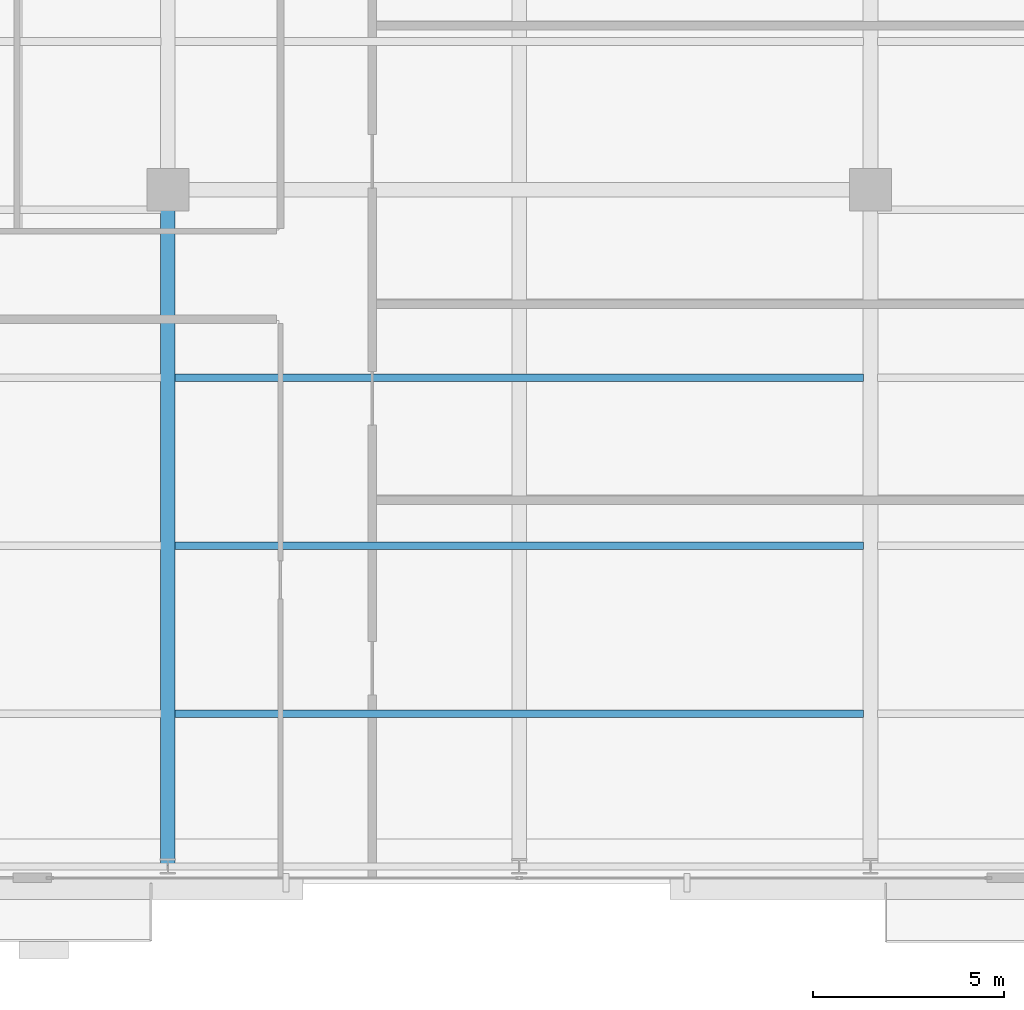
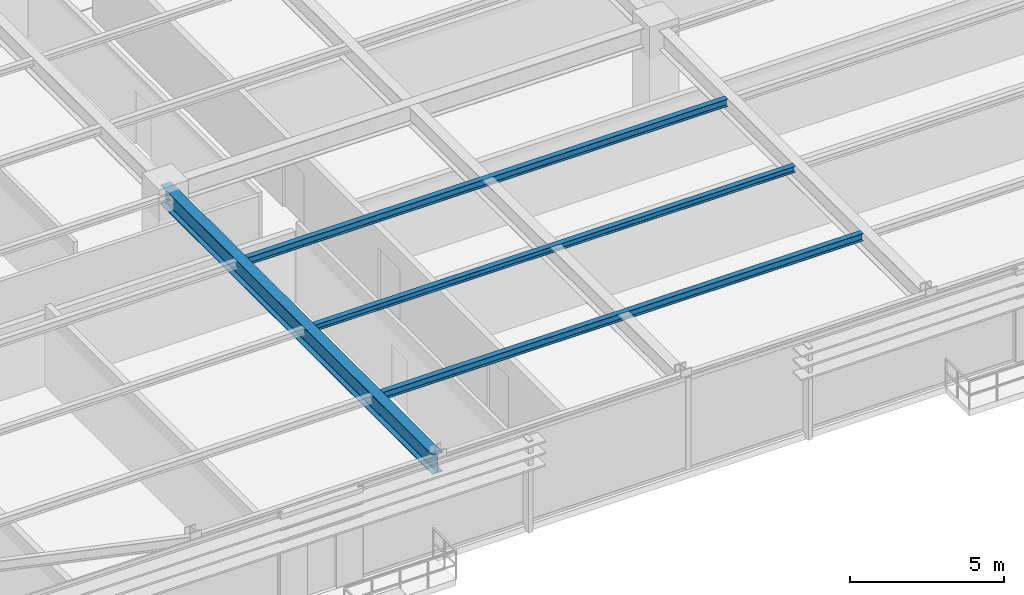
# One storey, part 7 of 29: 4 beams.
"""IFC4 building model written with IfcOpenShell, lengths in metres."""

from ifc_helpers import new_model, si_unit, direction, frame, origin, origin_2d, place, context, subcontext, project, spatial, i_section, extrude, source, transform, mapped, material, material_profile, profile_set, type_object, type_shapes, element, save


model = new_model("IFC4")

# Units and contexts
model_context = context("Model", 3, precision=1e-05, world=origin(), true_north=direction((0.0, 1.0)))
body_context = subcontext(model_context, "Body", "Model", "MODEL_VIEW")
ifc_project = project(units=[si_unit("LENGTHUNIT", "METRE"), si_unit("AREAUNIT", "SQUARE_METRE"), si_unit("VOLUMEUNIT", "CUBIC_METRE"), si_unit("PLANEANGLEUNIT", "RADIAN"), si_unit("MASSUNIT", "GRAM", prefix="KILO")], contexts=[model_context])

# Site, building, storey
site_placement = place(None, origin())
site = spatial("IfcSite", under=ifc_project, at=site_placement, CompositionType="ELEMENT")
building_placement = place(site_placement, origin())
building = spatial("IfcBuilding", under=site, at=building_placement, Name="Varnel Quay Broadcast Tower", CompositionType="ELEMENT")
storey_placement = place(building_placement, frame((0.0, 0.0, 74.39990234375)))
storey = spatial("IfcBuildingStorey", under=building, at=storey_placement, Name="L17", CompositionType="ELEMENT", Elevation=74.39990234375)

# Beams
ifc_material = material(Name="Structural Steel CSA G40.21 350W", Category="steel")
ifc_material_profile_1 = material_profile(ifc_material, i_section(OverallWidth=0.381103515625, OverallDepth=0.77294921875, WebThickness=0.0166015625, FlangeThickness=0.027587890625, FilletRadius=0.01806640625, at=origin_2d()), Name="W760X257")
ifc_profile_set_1 = profile_set([ifc_material_profile_1], Name="Structural Steel CSA G40.21 350W")
beam_type_1 = type_object("IfcBeamType", Name="Girder_W760X257", PredefinedType="BEAM", material=ifc_profile_set_1)
shared_shape_1 = source(origin(), body_context, "Body", "SweptSolid", [
    extrude(i_section(OverallWidth=0.381103515625, OverallDepth=0.77294921875, WebThickness=0.0166015625, FlangeThickness=0.027587890625, FilletRadius=0.01806640625, at=origin_2d()), origin(), (0.0, 0.0, 1.0), 17.68017578125),
])
type_shapes(beam_type_1, [shared_shape_1])
beam_1_placement = place(storey_placement, frame((24.800048828125, 1.669921875, 3.263671875), z_axis=(0.0, 1.0, 0.0), x_axis=(-1.0, 0.0, 0.0)))
element("IfcBeam", 1, at=beam_1_placement, inside=storey, type_object=beam_type_1, Name="L17 Primary Girder TC-S2-IC-01", PredefinedType="BEAM", context=body_context, shape_type="MappedRepresentation", body=[
    mapped(shared_shape_1, transform((0.0, 0.0, 0.0), x_axis=(1.0, 0.0, 0.0), y_axis=(0.0, 1.0, 0.0), z_axis=(0.0, 0.0, 1.0), scale=1.0)),
])
ifc_material_profile_2 = material_profile(ifc_material, i_section(OverallWidth=0.202880859375, OverallDepth=0.302978515625, WebThickness=0.007568359375, FlangeThickness=0.01318359375, FilletRadius=0.011962890625, at=origin_2d()), Name="W310X60")
ifc_profile_set_2 = profile_set([ifc_material_profile_2], Name="Structural Steel CSA G40.21 350W")
beam_type_2 = type_object("IfcBeamType", Name="Beam_W310X60", PredefinedType="JOIST", material=ifc_profile_set_2)
shared_shape_2 = source(origin(), body_context, "Body", "SweptSolid", [
    extrude(i_section(OverallWidth=0.202880859375, OverallDepth=0.302978515625, WebThickness=0.007568359375, FlangeThickness=0.01318359375, FilletRadius=0.011962890625, at=origin_2d()), origin(), (0.0, 0.0, 1.0), 18.02880859375),
])
type_shapes(beam_type_2, [shared_shape_2])
for number, where, z_axis, x_axis, name in (
    (2, (24.985595703125, 5.64990234375, 3.49853515625), (1.0, 0.0, 0.0), (0.0, 1.0, 0.0), "L17 Central Floor Joist 1"),
    (3, (24.985595703125, 14.449951171875, 3.49853515625), (1.0, 0.0, 0.0), (0.0, 1.0, 0.0), "L17 Central Floor Joist 3"),
):
    element("IfcBeam", number, at=place(storey_placement, frame(where, z_axis=z_axis, x_axis=x_axis)), inside=storey, type_object=beam_type_2, Name=name, PredefinedType="JOIST", context=body_context, shape_type="MappedRepresentation", body=[
        mapped(shared_shape_2, transform((0.0, 0.0, 0.0), x_axis=(1.0, 0.0, 0.0), y_axis=(0.0, 1.0, 0.0), z_axis=(0.0, 0.0, 1.0), scale=1.0)),
    ])
ifc_material_profile_3 = material_profile(ifc_material, i_section(OverallWidth=0.201904296875, OverallDepth=0.2470703125, WebThickness=0.00732421875, FlangeThickness=0.010986328125, FilletRadius=0.010986328125, at=origin_2d()), Name="W250X49")
ifc_profile_set_3 = profile_set([ifc_material_profile_3], Name="Structural Steel CSA G40.21 350W")
beam_type_3 = type_object("IfcBeamType", Name="Beam_W250X49", PredefinedType="JOIST", material=ifc_profile_set_3)
shared_shape_3 = source(origin(), body_context, "Body", "SweptSolid", [
    extrude(i_section(OverallWidth=0.201904296875, OverallDepth=0.2470703125, WebThickness=0.00732421875, FlangeThickness=0.010986328125, FilletRadius=0.010986328125, at=origin_2d()), origin(), (0.0, 0.0, 1.0), 18.02880859375),
])
type_shapes(beam_type_3, [shared_shape_3])
beam_2_placement = place(storey_placement, frame((24.985595703125, 10.050048828125, 3.526611328125), z_axis=(1.0, 0.0, 0.0), x_axis=(0.0, 1.0, 0.0)))
element("IfcBeam", 4, at=beam_2_placement, inside=storey, type_object=beam_type_3, Name="L17 Central Floor Joist 2", PredefinedType="JOIST", context=body_context, shape_type="MappedRepresentation", body=[
    mapped(shared_shape_3, transform((0.0, 0.0, 0.0), x_axis=(1.0, 0.0, 0.0), y_axis=(0.0, 1.0, 0.0), z_axis=(0.0, 0.0, 1.0), scale=1.0)),
])

save(model, "model.ifc")
